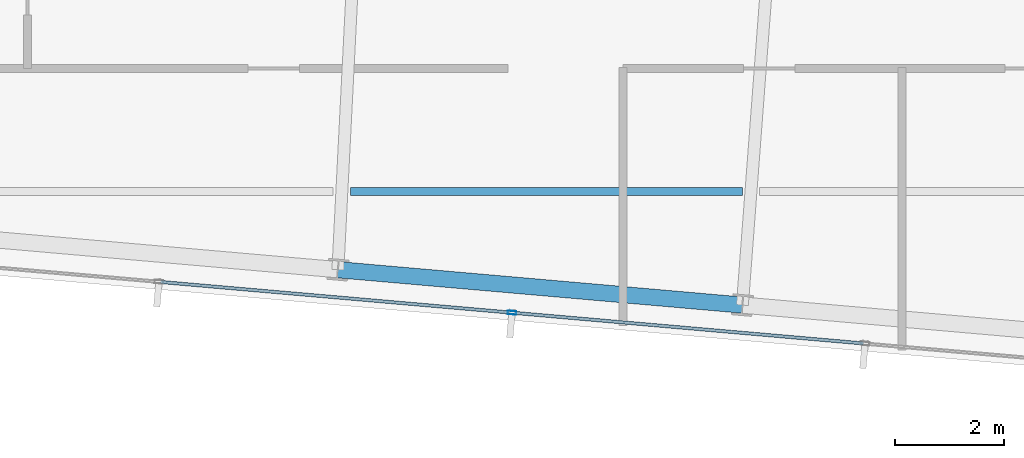
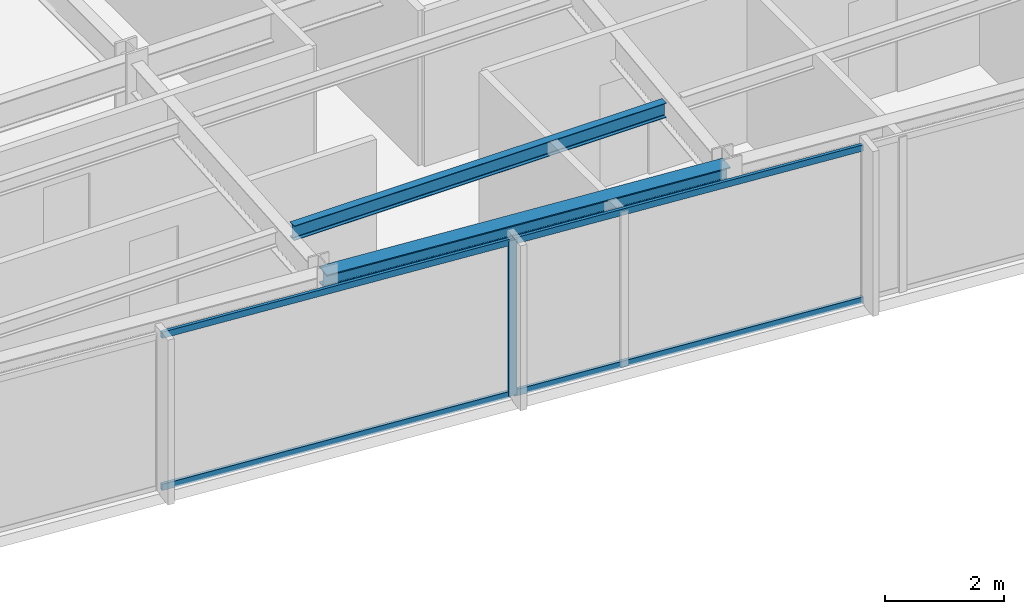
# One storey, part 7 of 32: 5 members, 2 beams, 1 element without a shape of its own.
"""IFC4 building model written with IfcOpenShell, lengths in metres."""

from ifc_helpers import new_model, si_unit, direction, frame, origin, origin_2d, place, context, subcontext, project, spatial, hollow_rectangle, i_section, extrude, material, material_profile, profile_set, type_object, element, aggregate, save


model = new_model("IFC4")

# Units and contexts
model_context = context("Model", 3, precision=1e-05, world=origin(), true_north=direction((0.0, 1.0)))
body_context = subcontext(model_context, "Body", "Model", "MODEL_VIEW")
ifc_project = project(units=[si_unit("LENGTHUNIT", "METRE"), si_unit("AREAUNIT", "SQUARE_METRE"), si_unit("VOLUMEUNIT", "CUBIC_METRE"), si_unit("PLANEANGLEUNIT", "RADIAN"), si_unit("MASSUNIT", "GRAM", prefix="KILO")], contexts=[model_context])

# Site, building, storey
site_placement = place(None, origin())
site = spatial("IfcSite", under=ifc_project, at=site_placement, CompositionType="ELEMENT")
building_placement = place(site_placement, origin())
building = spatial("IfcBuilding", under=site, at=building_placement, Name="Yelkora Congress Tower", CompositionType="ELEMENT")
storey_placement = place(building_placement, frame((0.0, 0.0, 279.5)))
storey = spatial("IfcBuildingStorey", under=building, at=storey_placement, Name="L78", CompositionType="ELEMENT", Elevation=279.5)

# Beams
ifc_material_1 = material(Name="Steel S355J2", Category="steel")
ifc_material_profile_1 = material_profile(ifc_material_1, i_section(OverallWidth=0.14990234375, OverallDepth=0.300048828125, WebThickness=0.007080078125, FlangeThickness=0.0107421875, FilletRadius=0.014892578125, at=origin_2d()), Name="IPE 300")
ifc_profile_set_1 = profile_set([ifc_material_profile_1], Name="Steel S355J2")
beam_type_1 = type_object("IfcBeamType", Name="BM-JOIST-IPE300", PredefinedType="JOIST", material=ifc_profile_set_1)
beam_1_placement = place(storey_placement, frame((30.595703125, 19.58447265625, 3.030029296875), z_axis=(1.0, 0.0, 0.0), x_axis=(0.0, 1.0, 0.0)))
element("IfcBeam", 1, at=beam_1_placement, inside=storey, type_object=beam_type_1, Name="L78 Composite Floor Joist 2", PredefinedType="JOIST", context=body_context, shape_type="SweptSolid", body=[
    extrude(i_section(OverallWidth=0.14990234375, OverallDepth=0.300048828125, WebThickness=0.007080078125, FlangeThickness=0.0107421875, FilletRadius=0.014892578125, at=origin_2d()), origin(), (0.0, 0.0, 1.0), 7.219970703125),
])
ifc_material_profile_2 = material_profile(ifc_material_1, i_section(OverallWidth=0.300048828125, OverallDepth=0.340087890625, WebThickness=0.011962890625, FlangeThickness=0.021484375, FilletRadius=0.027099609375, at=origin_2d()), Name="HEB 340")
ifc_profile_set_2 = profile_set([ifc_material_profile_2], Name="Steel S355J2")
beam_type_2 = type_object("IfcBeamType", Name="BM-SPAN-HEB340", PredefinedType="SPANDREL", material=ifc_profile_set_2)
beam_2_placement = place(storey_placement, frame((30.362548828125, 18.14111328125, 3.010009765625), z_axis=(0.99619601894, -0.087140644067, 0.0), x_axis=(0.087140644067, 0.99619601894, 0.0)))
element("IfcBeam", 2, at=beam_2_placement, inside=storey, type_object=beam_type_2, Name="L78 Perimeter Beam 4", PredefinedType="SPANDREL", context=body_context, shape_type="SweptSolid", body=[
    extrude(i_section(OverallWidth=0.300048828125, OverallDepth=0.340087890625, WebThickness=0.011962890625, FlangeThickness=0.021484375, FilletRadius=0.027099609375, at=origin_2d()), origin(), (0.0, 0.0, 1.0), 7.4833984375),
])

# Curtain wall, members
ifc_material_2 = material(Name="Anodised aluminium and insulated glass", Category="aluminium")
curtain_wall_type = type_object("IfcCurtainWallType", Name="CW-SYS-B5", PredefinedType="NOTDEFINED", material=ifc_material_2)
curtain_wall_placement = place(storey_placement, origin())
curtain_wall = element("IfcCurtainWall", 3, at=curtain_wall_placement, inside=storey, type_object=curtain_wall_type, Name="L78 Unitised Curtain Wall 20", PredefinedType="NOTDEFINED")
ifc_material_3 = material(Name="Anodised aluminium 6063-T6", Category="aluminium")
ifc_material_profile_3 = material_profile(ifc_material_3, hollow_rectangle(XDim=0.06494140625, YDim=0.159912109375, WallThickness=0.00390625, at=origin_2d()), Name="ALU 65x160x4")
ifc_profile_set_3 = profile_set([ifc_material_profile_3], Name="Anodised aluminium 6063-T6")
member_type_1 = type_object("IfcMemberType", Name="MEM-ML-B5", PredefinedType="MULLION", material=ifc_profile_set_3)
member_1_placement = place(storey_placement, frame((33.571533203125, 17.348388671875, 0.0), z_axis=(0.0, 0.0, 1.0), x_axis=(-0.087156829793, -0.996194602987, 0.0)))
member_1 = element("IfcMember", 4, at=member_1_placement, type_object=member_type_1, Name="CW-B5 mullion 4", PredefinedType="MULLION", context=body_context, shape_type="SweptSolid", body=[
    extrude(hollow_rectangle(XDim=0.06494140625, YDim=0.159912109375, WallThickness=0.00390625, at=origin_2d()), origin(), (0.0, 0.0, 1.0), 3.179931640625),
])
ifc_material_profile_4 = material_profile(ifc_material_3, hollow_rectangle(XDim=0.06005859375, YDim=0.1298828125, WallThickness=0.00390625, at=origin_2d()), Name="ALU 60x130x4")
ifc_profile_set_4 = profile_set([ifc_material_profile_4], Name="Anodised aluminium 6063-T6")
member_type_2 = type_object("IfcMemberType", Name="MEM-TR-B5", PredefinedType="USERDEFINED", material=ifc_profile_set_4)
member_2_placement = place(storey_placement, frame((40.045654296875, 16.781982421875, 0.030029296875), z_axis=(-0.996192979814, 0.08717538052, 0.0), x_axis=(-0.08717538052, -0.996192979814, 0.0)))
member_2 = element("IfcMember", 5, at=member_2_placement, type_object=member_type_2, Name="CW-B5 transom 3.1", ObjectType="TRANSOM", PredefinedType="USERDEFINED", context=body_context, shape_type="SweptSolid", body=[
    extrude(hollow_rectangle(XDim=0.06005859375, YDim=0.1298828125, WallThickness=0.00390625, at=origin_2d()), origin(), (0.0, 0.0, 1.0), 6.466552734375),
])
member_3_placement = place(storey_placement, frame((40.045654296875, 16.781982421875, 3.14990234375), z_axis=(-0.996192979814, 0.08717538052, 0.0), x_axis=(-0.08717538052, -0.996192979814, 0.0)))
member_3 = element("IfcMember", 6, at=member_3_placement, type_object=member_type_2, Name="CW-B5 transom 3.2", ObjectType="TRANSOM", PredefinedType="USERDEFINED", context=body_context, shape_type="SweptSolid", body=[
    extrude(hollow_rectangle(XDim=0.06005859375, YDim=0.1298828125, WallThickness=0.00390625, at=origin_2d()), origin(), (0.0, 0.0, 1.0), 6.466552734375),
])
member_4_placement = place(storey_placement, frame((33.5390625, 17.351318359375, 0.030029296875), z_axis=(-0.996196257862, 0.087137912649, 0.0), x_axis=(-0.087137912649, -0.996196257862, 0.0)))
member_4 = element("IfcMember", 7, at=member_4_placement, type_object=member_type_2, Name="CW-B5 transom 4.1", ObjectType="TRANSOM", PredefinedType="USERDEFINED", context=body_context, shape_type="SweptSolid", body=[
    extrude(hollow_rectangle(XDim=0.06005859375, YDim=0.1298828125, WallThickness=0.00390625, at=origin_2d()), origin(), (0.0, 0.0, 1.0), 6.466552734375),
])
member_5_placement = place(storey_placement, frame((33.5390625, 17.351318359375, 3.14990234375), z_axis=(-0.996196257862, 0.087137912649, 0.0), x_axis=(-0.087137912649, -0.996196257862, 0.0)))
member_5 = element("IfcMember", 8, at=member_5_placement, type_object=member_type_2, Name="CW-B5 transom 4.2", ObjectType="TRANSOM", PredefinedType="USERDEFINED", context=body_context, shape_type="SweptSolid", body=[
    extrude(hollow_rectangle(XDim=0.06005859375, YDim=0.1298828125, WallThickness=0.00390625, at=origin_2d()), origin(), (0.0, 0.0, 1.0), 6.466552734375),
])
aggregate(curtain_wall, [member_1, member_2, member_3, member_4, member_5])

save(model, "model.ifc")
